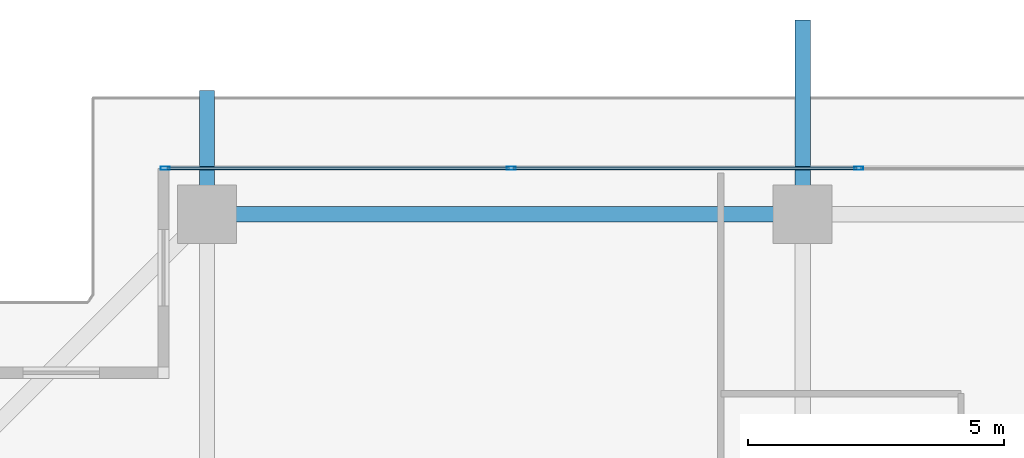
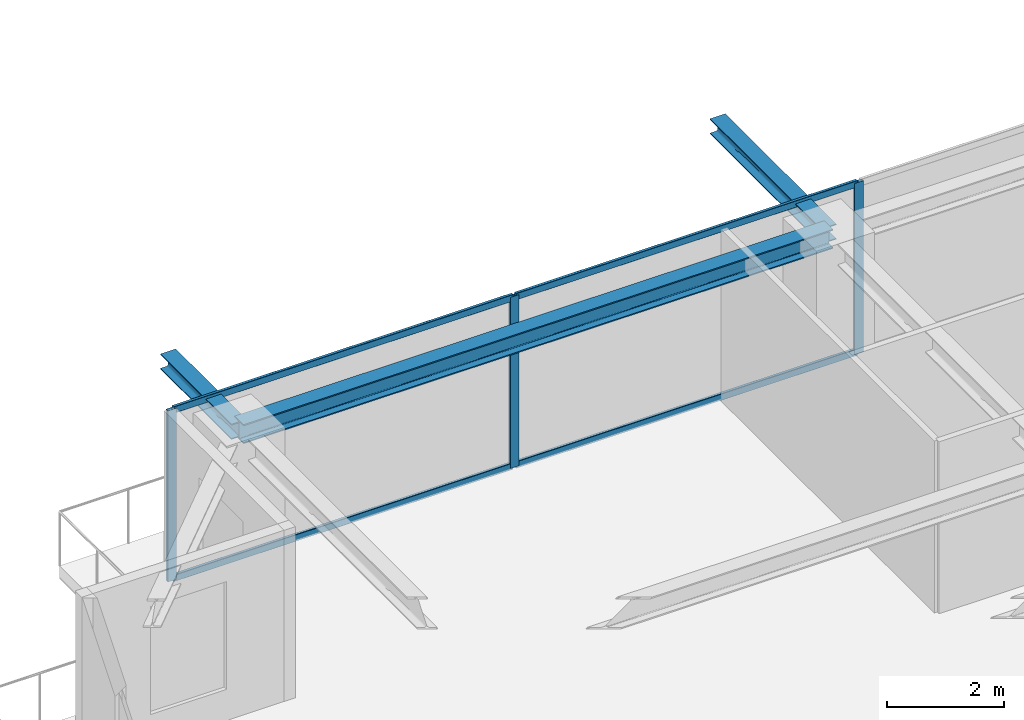
# One storey, part 20 of 37: 7 members, 3 beams, 1 element without a shape of its own.
"""IFC4 building model written with IfcOpenShell, lengths in metres."""

from ifc_helpers import new_model, si_unit, direction, frame, origin, origin_2d, place, context, subcontext, project, spatial, hollow_rectangle, i_section, extrude, source, transform, mapped, material, layer, layer_set, material_profile, profile_set, type_object, element, aggregate, save


model = new_model("IFC4")

# Units and contexts
model_context = context("Model", 3, precision=1e-05, world=origin(), true_north=direction((0.0, 1.0)))
body_context = subcontext(model_context, "Body", "Model", "MODEL_VIEW")
ifc_project = project(units=[si_unit("LENGTHUNIT", "METRE"), si_unit("AREAUNIT", "SQUARE_METRE"), si_unit("VOLUMEUNIT", "CUBIC_METRE"), si_unit("PLANEANGLEUNIT", "RADIAN"), si_unit("MASSUNIT", "GRAM", prefix="KILO")], contexts=[model_context])

# Site, building, storey
site_placement = place(None, origin())
site = spatial("IfcSite", under=ifc_project, at=site_placement, CompositionType="ELEMENT")
building_placement = place(site_placement, origin())
building = spatial("IfcBuilding", under=site, at=building_placement, Name="Serunith Strait Residences", CompositionType="ELEMENT")
storey_placement = place(building_placement, frame((0.0, 0.0, 260.5)))
storey = spatial("IfcBuildingStorey", under=building, at=storey_placement, Name="L65", CompositionType="ELEMENT", Elevation=260.5)

# Beams
ifc_material_1 = material(Name="Steel S355J2", Category="steel")
ifc_material_profile_1 = material_profile(ifc_material_1, i_section(OverallWidth=0.300048828125, OverallDepth=0.39990234375, WebThickness=0.013427734375, FlangeThickness=0.02392578125, FilletRadius=0.027099609375, at=origin_2d()), Name="HEB 400")
ifc_profile_set_1 = profile_set([ifc_material_profile_1], Name="Steel S355J2")
beam_type_1 = type_object("IfcBeamType", Name="BM-HEB400", PredefinedType="BEAM", material=ifc_profile_set_1)
shared_shape_1 = source(origin(), body_context, "Body", "SweptSolid", [
    extrude(i_section(OverallWidth=0.300048828125, OverallDepth=0.39990234375, WebThickness=0.013427734375, FlangeThickness=0.02392578125, FilletRadius=0.027099609375, at=origin_2d()), origin(), (0.0, 0.0, 1.0), 11.64990234375),
])
beam_1_placement = place(storey_placement, frame((27.89990234375, 48.300048828125, 3.386962890625), z_axis=(-1.0, 0.0, 0.0), x_axis=(0.0, -1.0, 0.0)))
element("IfcBeam", 1, at=beam_1_placement, inside=storey, type_object=beam_type_1, Name="L65 Perimeter Ring Beam 11", PredefinedType="BEAM", context=body_context, shape_type="MappedRepresentation", body=[
    mapped(shared_shape_1, transform((0.0, 0.0, 0.0), scale=1.0)),
])
ifc_material_profile_2 = material_profile(ifc_material_1, i_section(OverallWidth=0.300048828125, OverallDepth=0.320068359375, WebThickness=0.011474609375, FlangeThickness=0.0205078125, FilletRadius=0.027099609375, at=origin_2d()), Name="HEB 320")
ifc_profile_set_2 = profile_set([ifc_material_profile_2], Name="Steel S355J2")
beam_type_2 = type_object("IfcBeamType", Name="BM-HEB320", PredefinedType="BEAM", material=ifc_profile_set_2)
shared_shape_2 = source(origin(), body_context, "Body", "SweptSolid", [
    extrude(i_section(OverallWidth=0.300048828125, OverallDepth=0.320068359375, WebThickness=0.011474609375, FlangeThickness=0.0205078125, FilletRadius=0.027099609375, at=origin_2d()), origin(), (0.0, 0.0, 1.0), 3.800048828125),
])
beam_2_placement = place(storey_placement, frame((27.89990234375, 48.300048828125, 3.39697265625), z_axis=(0.0, 1.0, 0.0), x_axis=(-1.0, 0.0, 0.0)))
element("IfcBeam", 2, at=beam_2_placement, inside=storey, type_object=beam_type_2, Name="L66 Cantilevered Balcony Rib TC-N2", PredefinedType="BEAM", context=body_context, shape_type="MappedRepresentation", body=[
    mapped(shared_shape_2, transform((0.0, 0.0, 0.0), scale=1.0)),
])
shared_shape_3 = source(origin(), body_context, "Body", "SweptSolid", [
    extrude(i_section(OverallWidth=0.300048828125, OverallDepth=0.320068359375, WebThickness=0.011474609375, FlangeThickness=0.0205078125, FilletRadius=0.027099609375, at=origin_2d()), origin(), (0.0, 0.0, 1.0), 2.42529296875),
])
beam_3_placement = place(storey_placement, frame((16.25, 48.300048828125, 3.39697265625), z_axis=(0.0, 1.0, 0.0), x_axis=(-1.0, 0.0, 0.0)))
element("IfcBeam", 3, at=beam_3_placement, inside=storey, type_object=beam_type_2, Name="L66 Cantilevered Balcony Rib TC-N1", PredefinedType="BEAM", context=body_context, shape_type="MappedRepresentation", body=[
    mapped(shared_shape_3, transform((0.0, 0.0, 0.0), scale=1.0)),
])

# Curtain wall, members
ifc_material_2 = material(Name="Pale-Champagne Anodised Aluminium", Category="aluminium")
ifc_layer = layer(ifc_material_2, 0.199951171875, Name="Pale-Champagne Anodised Aluminium")
ifc_layer_set = layer_set([ifc_layer], Name="Pale-Champagne Anodised Aluminium")
curtain_wall_type = type_object("IfcCurtainWallType", Name="CW-SYS4", PredefinedType="NOTDEFINED", material=ifc_layer_set)
curtain_wall_placement = place(storey_placement, origin())
curtain_wall = element("IfcCurtainWall", 4, at=curtain_wall_placement, inside=storey, type_object=curtain_wall_type, Name="L65 N Unitised Fritted Curtain Wall", PredefinedType="NOTDEFINED")
ifc_material_profile_3 = material_profile(ifc_material_2, hollow_rectangle(XDim=0.06494140625, YDim=0.179931640625, WallThickness=0.00341796875, InnerFilletRadius=0.00537109375, OuterFilletRadius=0.0087890625, at=origin_2d()), Name="ALU 180x65x3.5")
ifc_profile_set_3 = profile_set([ifc_material_profile_3], Name="Pale-Champagne Anodised Aluminium")
member_type_1 = type_object("IfcMemberType", Name="CW-SYS4-MULL", PredefinedType="MULLION", material=ifc_profile_set_3)
shared_shape_4 = source(origin(), body_context, "Body", "SweptSolid", [
    extrude(hollow_rectangle(XDim=0.06494140625, YDim=0.179931640625, WallThickness=0.00341796875, InnerFilletRadius=0.00537109375, OuterFilletRadius=0.0087890625, at=origin_2d()), origin(), (0.0, 0.0, 1.0), 3.574951171875),
])
member_1_placement = place(storey_placement, frame((29.0, 49.199951171875, 0.0), z_axis=(0.0, 0.0, 1.0), x_axis=(0.0, -1.0, 0.0)))
member_1 = element("IfcMember", 5, at=member_1_placement, type_object=member_type_1, Name="CW-4 mullion 4", PredefinedType="MULLION", context=body_context, shape_type="MappedRepresentation", body=[
    mapped(shared_shape_4, transform((0.0, 0.0, 0.0), scale=1.0)),
])
member_2_placement = place(storey_placement, frame((22.199951171875, 49.199951171875, 0.0), z_axis=(0.0, 0.0, 1.0), x_axis=(0.0, -1.0, 0.0)))
member_2 = element("IfcMember", 6, at=member_2_placement, type_object=member_type_1, Name="CW-4 mullion 5", PredefinedType="MULLION", context=body_context, shape_type="MappedRepresentation", body=[
    mapped(shared_shape_4, transform((0.0, 0.0, 0.0), scale=1.0)),
])
member_3_placement = place(storey_placement, frame((15.4326171875, 49.199951171875, 0.0), z_axis=(0.0, 0.0, 1.0), x_axis=(0.0, -1.0, 0.0)))
member_3 = element("IfcMember", 7, at=member_3_placement, type_object=member_type_1, Name="CW-4 mullion 6", PredefinedType="MULLION", context=body_context, shape_type="MappedRepresentation", body=[
    mapped(shared_shape_4, transform((0.0, 0.0, 0.0), scale=1.0)),
])
ifc_material_profile_4 = material_profile(ifc_material_2, hollow_rectangle(XDim=0.06005859375, YDim=0.139892578125, WallThickness=0.00341796875, InnerFilletRadius=0.00537109375, OuterFilletRadius=0.0087890625, at=origin_2d()), Name="ALU 140x60x3.5")
ifc_profile_set_4 = profile_set([ifc_material_profile_4], Name="Pale-Champagne Anodised Aluminium")
member_type_2 = type_object("IfcMemberType", Name="CW-SYS4-TRAN", PredefinedType="USERDEFINED", material=ifc_profile_set_4)
shared_shape_5 = source(origin(), body_context, "Body", "SweptSolid", [
    extrude(hollow_rectangle(XDim=0.06005859375, YDim=0.139892578125, WallThickness=0.00341796875, InnerFilletRadius=0.00537109375, OuterFilletRadius=0.0087890625, at=origin_2d()), origin(), (0.0, 0.0, 1.0), 6.702392578125),
])
member_4_placement = place(storey_placement, frame((22.16748046875, 49.199951171875, 0.030029296875), z_axis=(-1.0, 0.0, 0.0), x_axis=(0.0, -1.0, 0.0)))
member_4 = element("IfcMember", 8, at=member_4_placement, type_object=member_type_2, Name="CW-4 transom 5.1", ObjectType="TRANSOM", PredefinedType="USERDEFINED", context=body_context, shape_type="MappedRepresentation", body=[
    mapped(shared_shape_5, transform((0.0, 0.0, 0.0), scale=1.0)),
])
member_5_placement = place(storey_placement, frame((22.16748046875, 49.199951171875, 3.544921875), z_axis=(-1.0, 0.0, 0.0), x_axis=(0.0, -1.0, 0.0)))
member_5 = element("IfcMember", 9, at=member_5_placement, type_object=member_type_2, Name="CW-4 transom 5.2", ObjectType="TRANSOM", PredefinedType="USERDEFINED", context=body_context, shape_type="MappedRepresentation", body=[
    mapped(shared_shape_5, transform((0.0, 0.0, 0.0), scale=1.0)),
])
shared_shape_6 = source(origin(), body_context, "Body", "SweptSolid", [
    extrude(hollow_rectangle(XDim=0.06005859375, YDim=0.139892578125, WallThickness=0.00341796875, InnerFilletRadius=0.00537109375, OuterFilletRadius=0.0087890625, at=origin_2d()), origin(), (0.0, 0.0, 1.0), 6.735107421875),
])
member_6_placement = place(storey_placement, frame((28.967529296875, 49.199951171875, 0.030029296875), z_axis=(-1.0, 0.0, 0.0), x_axis=(0.0, -1.0, 0.0)))
member_6 = element("IfcMember", 10, at=member_6_placement, type_object=member_type_2, Name="CW-4 transom 4.1", ObjectType="TRANSOM", PredefinedType="USERDEFINED", context=body_context, shape_type="MappedRepresentation", body=[
    mapped(shared_shape_6, transform((0.0, 0.0, 0.0), scale=1.0)),
])
member_7_placement = place(storey_placement, frame((28.967529296875, 49.199951171875, 3.544921875), z_axis=(-1.0, 0.0, 0.0), x_axis=(0.0, -1.0, 0.0)))
member_7 = element("IfcMember", 11, at=member_7_placement, type_object=member_type_2, Name="CW-4 transom 4.2", ObjectType="TRANSOM", PredefinedType="USERDEFINED", context=body_context, shape_type="MappedRepresentation", body=[
    mapped(shared_shape_6, transform((0.0, 0.0, 0.0), scale=1.0)),
])
aggregate(curtain_wall, [member_1, member_2, member_3, member_6, member_7, member_4, member_5])

save(model, "model.ifc")
